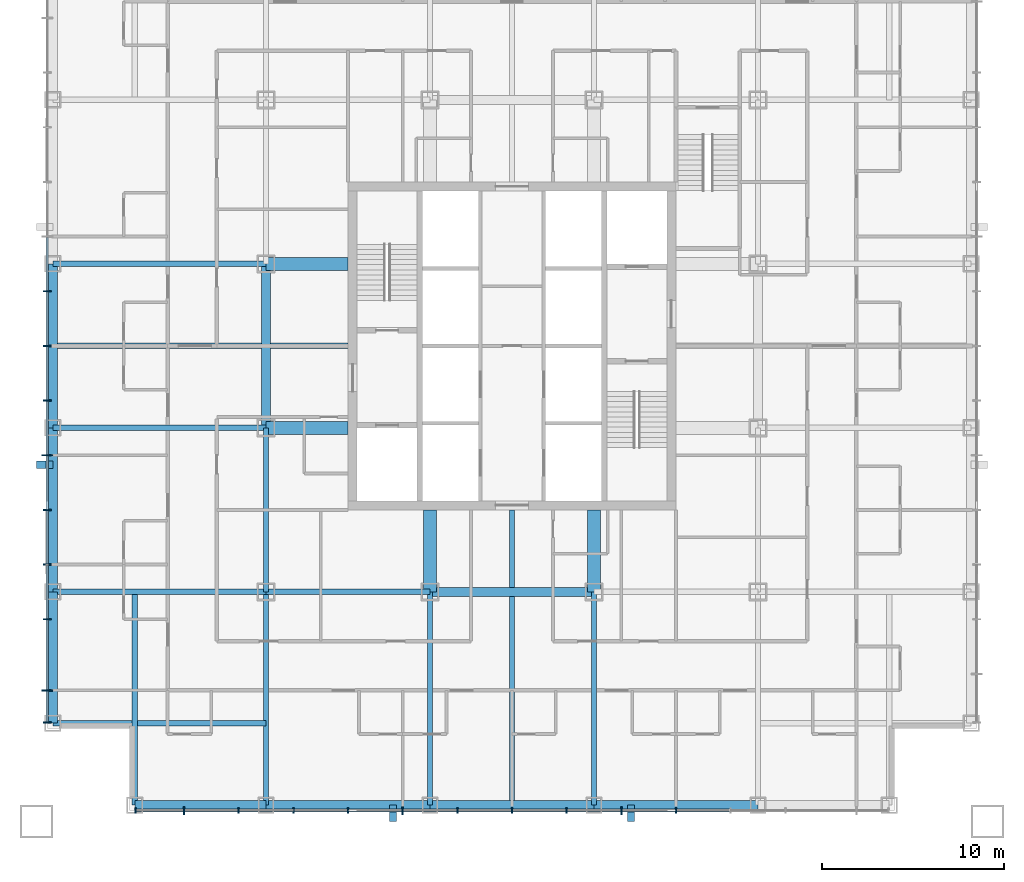
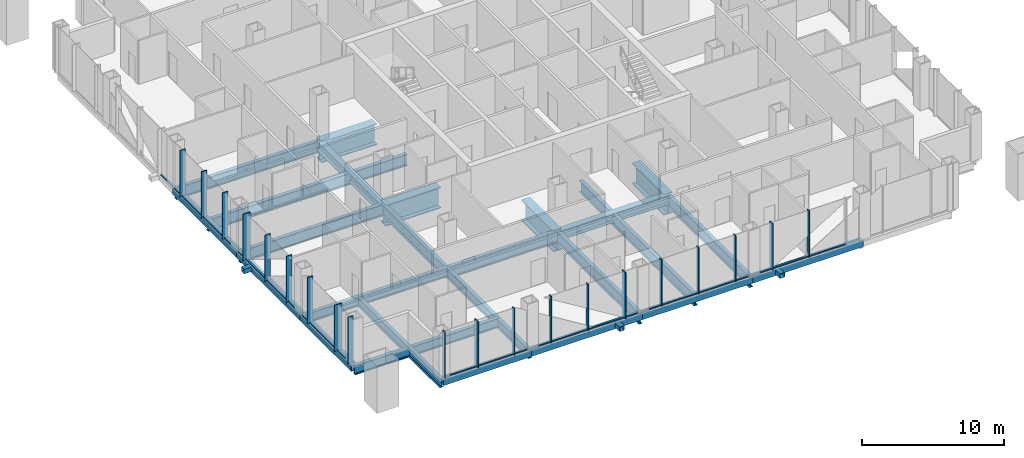
# One storey, part 2 of 17: 43 members, 25 beams, 2 elements without a shape of their own.
"""IFC4 building model written with IfcOpenShell, lengths in metres."""

from ifc_helpers import new_model, si_unit, direction, frame, origin, origin_2d, place, context, subcontext, project, spatial, rectangle, hollow_rectangle, i_section, extrude, material, layer, layer_set, material_profile, profile_set, type_object, element, aggregate, save


model = new_model("IFC4")

# Units and contexts
model_context = context("Model", 3, precision=1e-05, world=origin(), true_north=direction((0.0, 1.0)))
body_context = subcontext(model_context, "Body", "Model", "MODEL_VIEW")
ifc_project = project(units=[si_unit("LENGTHUNIT", "METRE"), si_unit("AREAUNIT", "SQUARE_METRE"), si_unit("VOLUMEUNIT", "CUBIC_METRE"), si_unit("PLANEANGLEUNIT", "RADIAN"), si_unit("MASSUNIT", "GRAM", prefix="KILO")], contexts=[model_context])

# Site, building, storey
site_placement = place(None, origin())
site = spatial("IfcSite", under=ifc_project, at=site_placement, CompositionType="ELEMENT")
building_placement = place(site_placement, origin())
building = spatial("IfcBuilding", under=site, at=building_placement, Name="Malebo Sky Hospital", CompositionType="ELEMENT")
storey_placement = place(building_placement, frame((0.0, 0.0, 83.0)))
storey = spatial("IfcBuildingStorey", under=building, at=storey_placement, Name="L19", CompositionType="ELEMENT", Elevation=83.0)

# Curtain wall, members
ifc_material_1 = material(Name="Anodised aluminium, natural silver", Category="aluminium")
ifc_layer_1 = layer(ifc_material_1, 0.25)
ifc_layer_set_1 = layer_set([ifc_layer_1], Name="WARD CURTAIN WALL EAST AND WEST")
curtain_wall_type_1 = type_object("IfcCurtainWallType", Name="WARD CURTAIN WALL EAST AND WEST", PredefinedType="NOTDEFINED", material=ifc_layer_set_1)
curtain_wall_1_placement = place(storey_placement, origin())
curtain_wall_1 = element("IfcCurtainWall", 1, at=curtain_wall_1_placement, inside=storey, type_object=curtain_wall_type_1, Name="EW curtain wall W", PredefinedType="NOTDEFINED")
ifc_material_profile_1 = material_profile(ifc_material_1, rectangle(XDim=0.14990234375, YDim=0.10009765625, at=origin_2d()), Name="ALUMINIUM TRANSOM 150x100")
ifc_profile_set_1 = profile_set([ifc_material_profile_1], Name="Anodised aluminium, natural silver")
member_type_1 = type_object("IfcMemberType", Name="ALUMINIUM TRANSOM 150x100", PredefinedType="USERDEFINED", material=ifc_profile_set_1)
member_1_placement = place(storey_placement, frame((34.5, 41.375, 0.050048828125), z_axis=(0.0, 1.0, 0.0), x_axis=(-1.0, 0.0, 0.0)))
member_1 = element("IfcMember", 2, at=member_1_placement, type_object=member_type_1, Name="Transom 1", ObjectType="TRANSOM", PredefinedType="USERDEFINED", context=body_context, shape_type="SweptSolid", body=[
    extrude(rectangle(XDim=0.14990234375, YDim=0.10009765625, at=origin_2d()), origin(), (0.0, 0.0, 1.0), 1.6875),
])
member_2_placement = place(storey_placement, frame((34.5, 43.137451171875, 0.050048828125), z_axis=(0.0, 1.0, 0.0), x_axis=(-1.0, 0.0, 0.0)))
member_2 = element("IfcMember", 3, at=member_2_placement, type_object=member_type_1, Name="Transom 2", ObjectType="TRANSOM", PredefinedType="USERDEFINED", context=body_context, shape_type="SweptSolid", body=[
    extrude(rectangle(XDim=0.14990234375, YDim=0.10009765625, at=origin_2d()), origin(), (0.0, 0.0, 1.0), 3.824951171875),
])
member_3_placement = place(storey_placement, frame((34.5, 47.03759765625, 0.050048828125), z_axis=(0.0, 1.0, 0.0), x_axis=(-1.0, 0.0, 0.0)))
member_3 = element("IfcMember", 4, at=member_3_placement, type_object=member_type_1, Name="Transom 3", ObjectType="TRANSOM", PredefinedType="USERDEFINED", context=body_context, shape_type="SweptSolid", body=[
    extrude(rectangle(XDim=0.14990234375, YDim=0.10009765625, at=origin_2d()), origin(), (0.0, 0.0, 1.0), 2.9248046875),
])
member_4_placement = place(storey_placement, frame((34.5, 50.03759765625, 0.050048828125), z_axis=(0.0, 1.0, 0.0), x_axis=(-1.0, 0.0, 0.0)))
member_4 = element("IfcMember", 5, at=member_4_placement, type_object=member_type_1, Name="Transom 4", ObjectType="TRANSOM", PredefinedType="USERDEFINED", context=body_context, shape_type="SweptSolid", body=[
    extrude(rectangle(XDim=0.14990234375, YDim=0.10009765625, at=origin_2d()), origin(), (0.0, 0.0, 1.0), 2.9248046875),
])
member_5_placement = place(storey_placement, frame((34.5, 53.03759765625, 0.050048828125), z_axis=(0.0, 1.0, 0.0), x_axis=(-1.0, 0.0, 0.0)))
member_5 = element("IfcMember", 6, at=member_5_placement, type_object=member_type_1, Name="Transom 5", ObjectType="TRANSOM", PredefinedType="USERDEFINED", context=body_context, shape_type="SweptSolid", body=[
    extrude(rectangle(XDim=0.14990234375, YDim=0.10009765625, at=origin_2d()), origin(), (0.0, 0.0, 1.0), 2.9248046875),
])
member_6_placement = place(storey_placement, frame((34.5, 56.03759765625, 0.050048828125), z_axis=(0.0, 1.0, 0.0), x_axis=(-1.0, 0.0, 0.0)))
member_6 = element("IfcMember", 7, at=member_6_placement, type_object=member_type_1, Name="Transom 6", ObjectType="TRANSOM", PredefinedType="USERDEFINED", context=body_context, shape_type="SweptSolid", body=[
    extrude(rectangle(XDim=0.14990234375, YDim=0.10009765625, at=origin_2d()), origin(), (0.0, 0.0, 1.0), 2.9248046875),
])
member_7_placement = place(storey_placement, frame((34.5, 59.03759765625, 0.050048828125), z_axis=(0.0, 1.0, 0.0), x_axis=(-1.0, 0.0, 0.0)))
member_7 = element("IfcMember", 8, at=member_7_placement, type_object=member_type_1, Name="Transom 7", ObjectType="TRANSOM", PredefinedType="USERDEFINED", context=body_context, shape_type="SweptSolid", body=[
    extrude(rectangle(XDim=0.14990234375, YDim=0.10009765625, at=origin_2d()), origin(), (0.0, 0.0, 1.0), 2.9248046875),
])
member_8_placement = place(storey_placement, frame((34.5, 62.03759765625, 0.050048828125), z_axis=(0.0, 1.0, 0.0), x_axis=(-1.0, 0.0, 0.0)))
member_8 = element("IfcMember", 9, at=member_8_placement, type_object=member_type_1, Name="Transom 8", ObjectType="TRANSOM", PredefinedType="USERDEFINED", context=body_context, shape_type="SweptSolid", body=[
    extrude(rectangle(XDim=0.14990234375, YDim=0.10009765625, at=origin_2d()), origin(), (0.0, 0.0, 1.0), 2.9248046875),
])
member_9_placement = place(storey_placement, frame((34.5, 65.03759765625, 0.050048828125), z_axis=(0.0, 1.0, 0.0), x_axis=(-1.0, 0.0, 0.0)))
member_9 = element("IfcMember", 10, at=member_9_placement, type_object=member_type_1, Name="Transom 9", ObjectType="TRANSOM", PredefinedType="USERDEFINED", context=body_context, shape_type="SweptSolid", body=[
    extrude(rectangle(XDim=0.14990234375, YDim=0.10009765625, at=origin_2d()), origin(), (0.0, 0.0, 1.0), 2.9248046875),
])

ifc_layer_2 = layer(ifc_material_1, 0.25)
ifc_layer_set_2 = layer_set([ifc_layer_2], Name="WARD CURTAIN WALL NORTH AND SOUTH")
curtain_wall_type_2 = type_object("IfcCurtainWallType", Name="WARD CURTAIN WALL NORTH AND SOUTH", PredefinedType="NOTDEFINED", material=ifc_layer_set_2)
curtain_wall_2_placement = place(storey_placement, origin())
curtain_wall_2 = element("IfcCurtainWall", 11, at=curtain_wall_2_placement, inside=storey, type_object=curtain_wall_type_2, Name="NS curtain wall S", PredefinedType="NOTDEFINED")
member_10_placement = place(storey_placement, frame((71.96240234375, 36.5, 0.050048828125), z_axis=(-1.0, 0.0, 0.0), x_axis=(0.0, -1.0, 0.0)))
member_10 = element("IfcMember", 12, at=member_10_placement, type_object=member_type_1, Name="Transom 4", ObjectType="TRANSOM", PredefinedType="USERDEFINED", context=body_context, shape_type="SweptSolid", body=[
    extrude(rectangle(XDim=0.14990234375, YDim=0.10009765625, at=origin_2d()), origin(), (0.0, 0.0, 1.0), 2.9248046875),
])
member_11_placement = place(storey_placement, frame((68.96240234375, 36.5, 0.050048828125), z_axis=(-1.0, 0.0, 0.0), x_axis=(0.0, -1.0, 0.0)))
member_11 = element("IfcMember", 13, at=member_11_placement, type_object=member_type_1, Name="Transom 5", ObjectType="TRANSOM", PredefinedType="USERDEFINED", context=body_context, shape_type="SweptSolid", body=[
    extrude(rectangle(XDim=0.14990234375, YDim=0.10009765625, at=origin_2d()), origin(), (0.0, 0.0, 1.0), 2.9248046875),
])
member_12_placement = place(storey_placement, frame((65.96240234375, 36.5, 0.050048828125), z_axis=(-1.0, 0.0, 0.0), x_axis=(0.0, -1.0, 0.0)))
member_12 = element("IfcMember", 14, at=member_12_placement, type_object=member_type_1, Name="Transom 6", ObjectType="TRANSOM", PredefinedType="USERDEFINED", context=body_context, shape_type="SweptSolid", body=[
    extrude(rectangle(XDim=0.14990234375, YDim=0.10009765625, at=origin_2d()), origin(), (0.0, 0.0, 1.0), 2.9248046875),
])
member_13_placement = place(storey_placement, frame((62.96240234375, 36.5, 0.050048828125), z_axis=(-1.0, 0.0, 0.0), x_axis=(0.0, -1.0, 0.0)))
member_13 = element("IfcMember", 15, at=member_13_placement, type_object=member_type_1, Name="Transom 7", ObjectType="TRANSOM", PredefinedType="USERDEFINED", context=body_context, shape_type="SweptSolid", body=[
    extrude(rectangle(XDim=0.14990234375, YDim=0.10009765625, at=origin_2d()), origin(), (0.0, 0.0, 1.0), 2.9248046875),
])
member_14_placement = place(storey_placement, frame((59.96240234375, 36.5, 0.050048828125), z_axis=(-1.0, 0.0, 0.0), x_axis=(0.0, -1.0, 0.0)))
member_14 = element("IfcMember", 16, at=member_14_placement, type_object=member_type_1, Name="Transom 8", ObjectType="TRANSOM", PredefinedType="USERDEFINED", context=body_context, shape_type="SweptSolid", body=[
    extrude(rectangle(XDim=0.14990234375, YDim=0.10009765625, at=origin_2d()), origin(), (0.0, 0.0, 1.0), 2.9248046875),
])
member_15_placement = place(storey_placement, frame((56.96240234375, 36.5, 0.050048828125), z_axis=(-1.0, 0.0, 0.0), x_axis=(0.0, -1.0, 0.0)))
member_15 = element("IfcMember", 17, at=member_15_placement, type_object=member_type_1, Name="Transom 9", ObjectType="TRANSOM", PredefinedType="USERDEFINED", context=body_context, shape_type="SweptSolid", body=[
    extrude(rectangle(XDim=0.14990234375, YDim=0.10009765625, at=origin_2d()), origin(), (0.0, 0.0, 1.0), 2.9248046875),
])
member_16_placement = place(storey_placement, frame((53.96240234375, 36.5, 0.050048828125), z_axis=(-1.0, 0.0, 0.0), x_axis=(0.0, -1.0, 0.0)))
member_16 = element("IfcMember", 18, at=member_16_placement, type_object=member_type_1, Name="Transom 10", ObjectType="TRANSOM", PredefinedType="USERDEFINED", context=body_context, shape_type="SweptSolid", body=[
    extrude(rectangle(XDim=0.14990234375, YDim=0.10009765625, at=origin_2d()), origin(), (0.0, 0.0, 1.0), 2.9248046875),
])
member_17_placement = place(storey_placement, frame((50.96240234375, 36.5, 0.050048828125), z_axis=(-1.0, 0.0, 0.0), x_axis=(0.0, -1.0, 0.0)))
member_17 = element("IfcMember", 19, at=member_17_placement, type_object=member_type_1, Name="Transom 11", ObjectType="TRANSOM", PredefinedType="USERDEFINED", context=body_context, shape_type="SweptSolid", body=[
    extrude(rectangle(XDim=0.14990234375, YDim=0.10009765625, at=origin_2d()), origin(), (0.0, 0.0, 1.0), 2.9248046875),
])
member_18_placement = place(storey_placement, frame((47.96240234375, 36.5, 0.050048828125), z_axis=(-1.0, 0.0, 0.0), x_axis=(0.0, -1.0, 0.0)))
member_18 = element("IfcMember", 20, at=member_18_placement, type_object=member_type_1, Name="Transom 12", ObjectType="TRANSOM", PredefinedType="USERDEFINED", context=body_context, shape_type="SweptSolid", body=[
    extrude(rectangle(XDim=0.14990234375, YDim=0.10009765625, at=origin_2d()), origin(), (0.0, 0.0, 1.0), 2.9248046875),
])
member_19_placement = place(storey_placement, frame((44.96240234375, 36.5, 0.050048828125), z_axis=(-1.0, 0.0, 0.0), x_axis=(0.0, -1.0, 0.0)))
member_19 = element("IfcMember", 21, at=member_19_placement, type_object=member_type_1, Name="Transom 13", ObjectType="TRANSOM", PredefinedType="USERDEFINED", context=body_context, shape_type="SweptSolid", body=[
    extrude(rectangle(XDim=0.14990234375, YDim=0.10009765625, at=origin_2d()), origin(), (0.0, 0.0, 1.0), 2.9248046875),
])
member_20_placement = place(storey_placement, frame((41.96240234375, 36.5, 0.050048828125), z_axis=(-1.0, 0.0, 0.0), x_axis=(0.0, -1.0, 0.0)))
member_20 = element("IfcMember", 22, at=member_20_placement, type_object=member_type_1, Name="Transom 14", ObjectType="TRANSOM", PredefinedType="USERDEFINED", context=body_context, shape_type="SweptSolid", body=[
    extrude(rectangle(XDim=0.14990234375, YDim=0.10009765625, at=origin_2d()), origin(), (0.0, 0.0, 1.0), 2.58740234375),
])

# Members
ifc_material_2 = material(Name="Steel S355", Category="steel")
ifc_material_profile_2 = material_profile(ifc_material_2, hollow_rectangle(XDim=0.39990234375, YDim=0.39990234375, WallThickness=0.02001953125, at=origin_2d()), Name="SHS 400x20")
ifc_profile_set_2 = profile_set([ifc_material_profile_2], Name="Steel S355")
member_type_2 = type_object("IfcMemberType", Name="BRACE STRUT SHS 400x20", PredefinedType="STRUT", material=ifc_profile_set_2)
for number, where, z_axis, x_axis, name in (
    (23, (66.52490234375, 35.89990234375, -0.39990234375), (0.0, 1.0, 0.0), (-1.0, 0.0, 0.0), "Brace strut AS1 L19"),
    (24, (53.47509765625, 35.89990234375, -0.39990234375), (0.0, 1.0, 0.0), (-1.0, 0.0, 0.0), "Brace strut AS2 L19"),
    (25, (33.89990234375, 55.47509765625, -0.39990234375), (1.0, 0.0, 0.0), (0.0, 1.0, 0.0), "Brace strut AW1 L19"),
):
    element("IfcMember", number, at=place(storey_placement, frame(where, z_axis=z_axis, x_axis=x_axis)), inside=storey, type_object=member_type_2, Name=name, PredefinedType="STRUT", context=body_context, shape_type="SweptSolid", body=[
        extrude(hollow_rectangle(XDim=0.39990234375, YDim=0.39990234375, WallThickness=0.02001953125, at=origin_2d()), origin(), (0.0, 0.0, 1.0), 0.900146484375),
    ])

# Member
ifc_material_profile_3 = material_profile(ifc_material_1, rectangle(XDim=0.074951171875, YDim=0.300048828125, at=origin_2d()), Name="CW1 ALUMINIUM FIN MULLION 75x300")
ifc_profile_set_3 = profile_set([ifc_material_profile_3], Name="Anodised aluminium, natural silver")
member_type_3 = type_object("IfcMemberType", Name="CW1 ALUMINIUM FIN MULLION 75x300", PredefinedType="MULLION", material=ifc_profile_set_3)
member_21_placement = place(storey_placement, frame((69.0, 36.5, 0.0), z_axis=(0.0, 0.0, 1.0), x_axis=(-1.0, 0.0, 0.0)))
member_21 = element("IfcMember", 26, at=member_21_placement, type_object=member_type_3, Name="Fin mullion 5", PredefinedType="MULLION", context=body_context, shape_type="SweptSolid", body=[
    extrude(rectangle(XDim=0.074951171875, YDim=0.300048828125, at=origin_2d()), origin(), (0.0, 0.0, 1.0), 4.0),
])

member_22_placement = place(storey_placement, frame((63.0, 36.5, 0.0), z_axis=(0.0, 0.0, 1.0), x_axis=(-1.0, 0.0, 0.0)))
member_22 = element("IfcMember", 27, at=member_22_placement, type_object=member_type_3, Name="Fin mullion 7", PredefinedType="MULLION", context=body_context, shape_type="SweptSolid", body=[
    extrude(rectangle(XDim=0.074951171875, YDim=0.300048828125, at=origin_2d()), origin(), (0.0, 0.0, 1.0), 4.0),
])

member_23_placement = place(storey_placement, frame((60.0, 36.5, 0.0), z_axis=(0.0, 0.0, 1.0), x_axis=(-1.0, 0.0, 0.0)))
member_23 = element("IfcMember", 28, at=member_23_placement, type_object=member_type_3, Name="Fin mullion 8", PredefinedType="MULLION", context=body_context, shape_type="SweptSolid", body=[
    extrude(rectangle(XDim=0.074951171875, YDim=0.300048828125, at=origin_2d()), origin(), (0.0, 0.0, 1.0), 4.0),
])

member_24_placement = place(storey_placement, frame((57.0, 36.5, 0.0), z_axis=(0.0, 0.0, 1.0), x_axis=(-1.0, 0.0, 0.0)))
member_24 = element("IfcMember", 29, at=member_24_placement, type_object=member_type_3, Name="Fin mullion 9", PredefinedType="MULLION", context=body_context, shape_type="SweptSolid", body=[
    extrude(rectangle(XDim=0.074951171875, YDim=0.300048828125, at=origin_2d()), origin(), (0.0, 0.0, 1.0), 4.0),
])

member_25_placement = place(storey_placement, frame((51.0, 36.5, 0.0), z_axis=(0.0, 0.0, 1.0), x_axis=(-1.0, 0.0, 0.0)))
member_25 = element("IfcMember", 30, at=member_25_placement, type_object=member_type_3, Name="Fin mullion 11", PredefinedType="MULLION", context=body_context, shape_type="SweptSolid", body=[
    extrude(rectangle(XDim=0.074951171875, YDim=0.300048828125, at=origin_2d()), origin(), (0.0, 0.0, 1.0), 4.0),
])

member_26_placement = place(storey_placement, frame((48.0, 36.5, 0.0), z_axis=(0.0, 0.0, 1.0), x_axis=(-1.0, 0.0, 0.0)))
member_26 = element("IfcMember", 31, at=member_26_placement, type_object=member_type_3, Name="Fin mullion 12", PredefinedType="MULLION", context=body_context, shape_type="SweptSolid", body=[
    extrude(rectangle(XDim=0.074951171875, YDim=0.300048828125, at=origin_2d()), origin(), (0.0, 0.0, 1.0), 4.0),
])

member_27_placement = place(storey_placement, frame((45.0, 36.5, 0.0), z_axis=(0.0, 0.0, 1.0), x_axis=(-1.0, 0.0, 0.0)))
member_27 = element("IfcMember", 32, at=member_27_placement, type_object=member_type_3, Name="Fin mullion 13", PredefinedType="MULLION", context=body_context, shape_type="SweptSolid", body=[
    extrude(rectangle(XDim=0.074951171875, YDim=0.300048828125, at=origin_2d()), origin(), (0.0, 0.0, 1.0), 4.0),
])

member_28_placement = place(storey_placement, frame((39.33740234375, 36.5, 0.0), z_axis=(0.0, 0.0, 1.0), x_axis=(-1.0, 0.0, 0.0)))
member_28 = element("IfcMember", 33, at=member_28_placement, type_object=member_type_3, Name="Fin mullion 15", PredefinedType="MULLION", context=body_context, shape_type="SweptSolid", body=[
    extrude(rectangle(XDim=0.074951171875, YDim=0.300048828125, at=origin_2d()), origin(), (0.0, 0.0, 1.0), 4.0),
])

ifc_material_profile_4 = material_profile(ifc_material_1, rectangle(XDim=0.074951171875, YDim=0.449951171875, at=origin_2d()), Name="CW1 ALUMINIUM FIN MULLION 75x450")
ifc_profile_set_4 = profile_set([ifc_material_profile_4], Name="Anodised aluminium, natural silver")
member_type_4 = type_object("IfcMemberType", Name="CW1 ALUMINIUM FIN MULLION 75x450", PredefinedType="MULLION", material=ifc_profile_set_4)
member_29_placement = place(storey_placement, frame((66.0, 36.5, 0.0), z_axis=(0.0, 0.0, 1.0), x_axis=(-1.0, 0.0, 0.0)))
member_29 = element("IfcMember", 34, at=member_29_placement, type_object=member_type_4, Name="Fin mullion 6", PredefinedType="MULLION", context=body_context, shape_type="SweptSolid", body=[
    extrude(rectangle(XDim=0.074951171875, YDim=0.449951171875, at=origin_2d()), origin(), (0.0, 0.0, 1.0), 4.0),
])

member_30_placement = place(storey_placement, frame((54.0, 36.5, 0.0), z_axis=(0.0, 0.0, 1.0), x_axis=(-1.0, 0.0, 0.0)))
member_30 = element("IfcMember", 35, at=member_30_placement, type_object=member_type_4, Name="Fin mullion 10", PredefinedType="MULLION", context=body_context, shape_type="SweptSolid", body=[
    extrude(rectangle(XDim=0.074951171875, YDim=0.449951171875, at=origin_2d()), origin(), (0.0, 0.0, 1.0), 4.0),
])

member_31_placement = place(storey_placement, frame((42.0, 36.5, 0.0), z_axis=(0.0, 0.0, 1.0), x_axis=(-1.0, 0.0, 0.0)))
member_31 = element("IfcMember", 36, at=member_31_placement, type_object=member_type_4, Name="Fin mullion 14", PredefinedType="MULLION", context=body_context, shape_type="SweptSolid", body=[
    extrude(rectangle(XDim=0.074951171875, YDim=0.449951171875, at=origin_2d()), origin(), (0.0, 0.0, 1.0), 4.0),
])

aggregate(curtain_wall_2, [member_21, member_29, member_22, member_23, member_24, member_30, member_25, member_26, member_27, member_31, member_28, member_10, member_11, member_12, member_13, member_14, member_15, member_16, member_17, member_18, member_19, member_20])

ifc_material_profile_5 = material_profile(ifc_material_1, rectangle(XDim=0.074951171875, YDim=0.449951171875, at=origin_2d()), Name="CW2 ALUMINIUM FIN MULLION 75x450")
ifc_profile_set_5 = profile_set([ifc_material_profile_5], Name="Anodised aluminium, natural silver")
member_type_5 = type_object("IfcMemberType", Name="CW2 ALUMINIUM FIN MULLION 75x450", PredefinedType="MULLION", material=ifc_profile_set_5)
member_32_placement = place(storey_placement, frame((34.5, 41.33740234375, 0.0), z_axis=(0.0, 0.0, 1.0), x_axis=(0.0, 1.0, 0.0)))
member_32 = element("IfcMember", 37, at=member_32_placement, type_object=member_type_5, Name="Fin mullion 1", PredefinedType="MULLION", context=body_context, shape_type="SweptSolid", body=[
    extrude(rectangle(XDim=0.074951171875, YDim=0.449951171875, at=origin_2d()), origin(), (0.0, 0.0, 1.0), 4.0),
])

member_33_placement = place(storey_placement, frame((34.5, 47.0, 0.0), z_axis=(0.0, 0.0, 1.0), x_axis=(0.0, 1.0, 0.0)))
member_33 = element("IfcMember", 38, at=member_33_placement, type_object=member_type_5, Name="Fin mullion 3", PredefinedType="MULLION", context=body_context, shape_type="SweptSolid", body=[
    extrude(rectangle(XDim=0.074951171875, YDim=0.449951171875, at=origin_2d()), origin(), (0.0, 0.0, 1.0), 4.0),
])

member_34_placement = place(storey_placement, frame((34.5, 50.0, 0.0), z_axis=(0.0, 0.0, 1.0), x_axis=(0.0, 1.0, 0.0)))
member_34 = element("IfcMember", 39, at=member_34_placement, type_object=member_type_5, Name="Fin mullion 4", PredefinedType="MULLION", context=body_context, shape_type="SweptSolid", body=[
    extrude(rectangle(XDim=0.074951171875, YDim=0.449951171875, at=origin_2d()), origin(), (0.0, 0.0, 1.0), 4.0),
])

member_35_placement = place(storey_placement, frame((34.5, 53.0, 0.0), z_axis=(0.0, 0.0, 1.0), x_axis=(0.0, 1.0, 0.0)))
member_35 = element("IfcMember", 40, at=member_35_placement, type_object=member_type_5, Name="Fin mullion 5", PredefinedType="MULLION", context=body_context, shape_type="SweptSolid", body=[
    extrude(rectangle(XDim=0.074951171875, YDim=0.449951171875, at=origin_2d()), origin(), (0.0, 0.0, 1.0), 4.0),
])

member_36_placement = place(storey_placement, frame((34.5, 59.0, 0.0), z_axis=(0.0, 0.0, 1.0), x_axis=(0.0, 1.0, 0.0)))
member_36 = element("IfcMember", 41, at=member_36_placement, type_object=member_type_5, Name="Fin mullion 7", PredefinedType="MULLION", context=body_context, shape_type="SweptSolid", body=[
    extrude(rectangle(XDim=0.074951171875, YDim=0.449951171875, at=origin_2d()), origin(), (0.0, 0.0, 1.0), 4.0),
])

member_37_placement = place(storey_placement, frame((34.5, 62.0, 0.0), z_axis=(0.0, 0.0, 1.0), x_axis=(0.0, 1.0, 0.0)))
member_37 = element("IfcMember", 42, at=member_37_placement, type_object=member_type_5, Name="Fin mullion 8", PredefinedType="MULLION", context=body_context, shape_type="SweptSolid", body=[
    extrude(rectangle(XDim=0.074951171875, YDim=0.449951171875, at=origin_2d()), origin(), (0.0, 0.0, 1.0), 4.0),
])

member_38_placement = place(storey_placement, frame((34.5, 65.0, 0.0), z_axis=(0.0, 0.0, 1.0), x_axis=(0.0, 1.0, 0.0)))
member_38 = element("IfcMember", 43, at=member_38_placement, type_object=member_type_5, Name="Fin mullion 9", PredefinedType="MULLION", context=body_context, shape_type="SweptSolid", body=[
    extrude(rectangle(XDim=0.074951171875, YDim=0.449951171875, at=origin_2d()), origin(), (0.0, 0.0, 1.0), 4.0),
])

ifc_material_profile_6 = material_profile(ifc_material_1, rectangle(XDim=0.074951171875, YDim=0.60009765625, at=origin_2d()), Name="CW2 ALUMINIUM FIN MULLION 75x600")
ifc_profile_set_6 = profile_set([ifc_material_profile_6], Name="Anodised aluminium, natural silver")
member_type_6 = type_object("IfcMemberType", Name="CW2 ALUMINIUM FIN MULLION 75x600", PredefinedType="MULLION", material=ifc_profile_set_6)
member_39_placement = place(storey_placement, frame((34.5, 43.10009765625, 0.0), z_axis=(0.0, 0.0, 1.0), x_axis=(0.0, 1.0, 0.0)))
member_39 = element("IfcMember", 44, at=member_39_placement, type_object=member_type_6, Name="Fin mullion 2", PredefinedType="MULLION", context=body_context, shape_type="SweptSolid", body=[
    extrude(rectangle(XDim=0.074951171875, YDim=0.60009765625, at=origin_2d()), origin(), (0.0, 0.0, 1.0), 4.0),
])

member_40_placement = place(storey_placement, frame((34.5, 56.0, 0.0), z_axis=(0.0, 0.0, 1.0), x_axis=(0.0, 1.0, 0.0)))
member_40 = element("IfcMember", 45, at=member_40_placement, type_object=member_type_6, Name="Fin mullion 6", PredefinedType="MULLION", context=body_context, shape_type="SweptSolid", body=[
    extrude(rectangle(XDim=0.074951171875, YDim=0.60009765625, at=origin_2d()), origin(), (0.0, 0.0, 1.0), 4.0),
])

aggregate(curtain_wall_1, [member_32, member_39, member_33, member_34, member_35, member_40, member_36, member_37, member_38, member_1, member_2, member_3, member_4, member_5, member_6, member_7, member_8, member_9])

# Beams
ifc_material_3 = material(Name="Steel S460", Category="steel")
ifc_material_profile_7 = material_profile(ifc_material_3, hollow_rectangle(XDim=0.5, YDim=0.5, WallThickness=0.030029296875, at=origin_2d()), Name="BOX 500x500x30")
ifc_profile_set_7 = profile_set([ifc_material_profile_7], Name="Steel S460")
beam_type_1 = type_object("IfcBeamType", Name="EDGE BEAM BOX 500x500x30", PredefinedType="BEAM", material=ifc_profile_set_7)
beam_1_placement = place(storey_placement, frame((34.800048828125, 41.300048828125, -0.5), z_axis=(0.0, 1.0, 0.0), x_axis=(-1.0, 0.0, 0.0)))
element("IfcBeam", 46, at=beam_1_placement, inside=storey, type_object=beam_type_1, Name="Beam 000 L19", PredefinedType="BEAM", context=body_context, shape_type="SweptSolid", body=[
    extrude(hollow_rectangle(XDim=0.5, YDim=0.5, WallThickness=0.030029296875, at=origin_2d()), origin(), (0.0, 0.0, 1.0), 7.199951171875),
])
for number, where, z_axis, x_axis, name in (
    (47, (34.800048828125, 48.5, -0.5), (0.0, 1.0, 0.0), (-1.0, 0.0, 0.0), "Beam 001 L19"),
    (48, (34.800048828125, 57.5, -0.5), (0.0, 1.0, 0.0), (-1.0, 0.0, 0.0), "Beam 002 L19"),
):
    element("IfcBeam", number, at=place(storey_placement, frame(where, z_axis=z_axis, x_axis=x_axis)), inside=storey, type_object=beam_type_1, Name=name, PredefinedType="BEAM", context=body_context, shape_type="SweptSolid", body=[
        extrude(hollow_rectangle(XDim=0.5, YDim=0.5, WallThickness=0.030029296875, at=origin_2d()), origin(), (0.0, 0.0, 1.0), 9.0),
    ])
beam_2_placement = place(storey_placement, frame((39.300048828125, 36.800048828125, -0.5), z_axis=(1.0, 0.0, 0.0), x_axis=(0.0, 1.0, 0.0)))
element("IfcBeam", 49, at=beam_2_placement, inside=storey, type_object=beam_type_1, Name="Beam 034 L19", PredefinedType="BEAM", context=body_context, shape_type="SweptSolid", body=[
    extrude(hollow_rectangle(XDim=0.5, YDim=0.5, WallThickness=0.030029296875, at=origin_2d()), origin(), (0.0, 0.0, 1.0), 7.199951171875),
])
for number, where, z_axis, x_axis, name in (
    (50, (46.5, 36.800048828125, -0.5), (1.0, 0.0, 0.0), (0.0, 1.0, 0.0), "Beam 035 L19"),
    (51, (55.5, 36.800048828125, -0.5), (1.0, 0.0, 0.0), (0.0, 1.0, 0.0), "Beam 036 L19"),
    (52, (64.5, 36.800048828125, -0.5), (1.0, 0.0, 0.0), (0.0, 1.0, 0.0), "Beam 037 L19"),
):
    element("IfcBeam", number, at=place(storey_placement, frame(where, z_axis=z_axis, x_axis=x_axis)), inside=storey, type_object=beam_type_1, Name=name, PredefinedType="BEAM", context=body_context, shape_type="SweptSolid", body=[
        extrude(hollow_rectangle(XDim=0.5, YDim=0.5, WallThickness=0.030029296875, at=origin_2d()), origin(), (0.0, 0.0, 1.0), 9.0),
    ])
ifc_material_profile_8 = material_profile(ifc_material_2, i_section(OverallWidth=0.300048828125, OverallDepth=1.0, WebThickness=0.01904296875, FlangeThickness=0.035888671875, FilletRadius=0.030029296875, at=origin_2d()), Name="HEB 1000")
ifc_profile_set_8 = profile_set([ifc_material_profile_8], Name="Steel S355")
beam_type_2 = type_object("IfcBeamType", Name="FLOOR BEAM HEB 1000", PredefinedType="BEAM", material=ifc_profile_set_8)
beam_3_placement = place(storey_placement, frame((46.5, 48.5, -0.75), z_axis=(0.0, 1.0, 0.0), x_axis=(-1.0, 0.0, 0.0)))
element("IfcBeam", 53, at=beam_3_placement, inside=storey, type_object=beam_type_2, Name="Beam 008 L19", PredefinedType="BEAM", context=body_context, shape_type="SweptSolid", body=[
    extrude(i_section(OverallWidth=0.300048828125, OverallDepth=1.0, WebThickness=0.01904296875, FlangeThickness=0.035888671875, FilletRadius=0.030029296875, at=origin_2d()), origin(), (0.0, 0.0, 1.0), 9.0),
])
beam_4_placement = place(storey_placement, frame((55.5, 36.800048828125, -0.75), z_axis=(0.0, 1.0, 0.0), x_axis=(-1.0, 0.0, 0.0)))
element("IfcBeam", 54, at=beam_4_placement, inside=storey, type_object=beam_type_2, Name="Beam 012 L19", PredefinedType="BEAM", context=body_context, shape_type="SweptSolid", body=[
    extrude(i_section(OverallWidth=0.300048828125, OverallDepth=1.0, WebThickness=0.01904296875, FlangeThickness=0.035888671875, FilletRadius=0.030029296875, at=origin_2d()), origin(), (0.0, 0.0, 1.0), 11.699951171875),
])
beam_5_placement = place(storey_placement, frame((60.0, 36.800048828125, -0.75), z_axis=(0.0, 1.0, 0.0), x_axis=(-1.0, 0.0, 0.0)))
element("IfcBeam", 55, at=beam_5_placement, inside=storey, type_object=beam_type_2, Name="Beam 016 L19", PredefinedType="BEAM", context=body_context, shape_type="SweptSolid", body=[
    extrude(i_section(OverallWidth=0.300048828125, OverallDepth=1.0, WebThickness=0.01904296875, FlangeThickness=0.035888671875, FilletRadius=0.030029296875, at=origin_2d()), origin(), (0.0, 0.0, 1.0), 16.199951171875),
])
beam_6_placement = place(storey_placement, frame((64.5, 36.800048828125, -0.75), z_axis=(0.0, 1.0, 0.0), x_axis=(-1.0, 0.0, 0.0)))
element("IfcBeam", 56, at=beam_6_placement, inside=storey, type_object=beam_type_2, Name="Beam 018 L19", PredefinedType="BEAM", context=body_context, shape_type="SweptSolid", body=[
    extrude(i_section(OverallWidth=0.300048828125, OverallDepth=1.0, WebThickness=0.01904296875, FlangeThickness=0.035888671875, FilletRadius=0.030029296875, at=origin_2d()), origin(), (0.0, 0.0, 1.0), 11.699951171875),
])
beam_7_placement = place(storey_placement, frame((46.5, 48.5, -0.75), z_axis=(1.0, 0.0, 0.0), x_axis=(0.0, 1.0, 0.0)))
element("IfcBeam", 57, at=beam_7_placement, inside=storey, type_object=beam_type_2, Name="Beam 042 L19", PredefinedType="BEAM", context=body_context, shape_type="SweptSolid", body=[
    extrude(i_section(OverallWidth=0.300048828125, OverallDepth=1.0, WebThickness=0.01904296875, FlangeThickness=0.035888671875, FilletRadius=0.030029296875, at=origin_2d()), origin(), (0.0, 0.0, 1.0), 9.0),
])
beam_8_placement = place(storey_placement, frame((34.800048828125, 57.5, -0.75), z_axis=(1.0, 0.0, 0.0), x_axis=(0.0, 1.0, 0.0)))
element("IfcBeam", 58, at=beam_8_placement, inside=storey, type_object=beam_type_2, Name="Beam 046 L19", PredefinedType="BEAM", context=body_context, shape_type="SweptSolid", body=[
    extrude(i_section(OverallWidth=0.300048828125, OverallDepth=1.0, WebThickness=0.01904296875, FlangeThickness=0.035888671875, FilletRadius=0.030029296875, at=origin_2d()), origin(), (0.0, 0.0, 1.0), 11.699951171875),
])
beam_9_placement = place(storey_placement, frame((34.800048828125, 62.0, -0.75), z_axis=(1.0, 0.0, 0.0), x_axis=(0.0, 1.0, 0.0)))
element("IfcBeam", 59, at=beam_9_placement, inside=storey, type_object=beam_type_2, Name="Beam 050 L19", PredefinedType="BEAM", context=body_context, shape_type="SweptSolid", body=[
    extrude(i_section(OverallWidth=0.300048828125, OverallDepth=1.0, WebThickness=0.01904296875, FlangeThickness=0.035888671875, FilletRadius=0.030029296875, at=origin_2d()), origin(), (0.0, 0.0, 1.0), 16.199951171875),
])
beam_10_placement = place(storey_placement, frame((34.800048828125, 66.5, -0.75), z_axis=(1.0, 0.0, 0.0), x_axis=(0.0, 1.0, 0.0)))
element("IfcBeam", 60, at=beam_10_placement, inside=storey, type_object=beam_type_2, Name="Beam 052 L19", PredefinedType="BEAM", context=body_context, shape_type="SweptSolid", body=[
    extrude(i_section(OverallWidth=0.300048828125, OverallDepth=1.0, WebThickness=0.01904296875, FlangeThickness=0.035888671875, FilletRadius=0.030029296875, at=origin_2d()), origin(), (0.0, 0.0, 1.0), 11.699951171875),
])
ifc_material_profile_9 = material_profile(ifc_material_2, i_section(OverallWidth=0.300048828125, OverallDepth=0.800048828125, WebThickness=0.017578125, FlangeThickness=0.032958984375, FilletRadius=0.030029296875, at=origin_2d()), Name="HEB 800")
ifc_profile_set_9 = profile_set([ifc_material_profile_9], Name="Steel S355")
beam_type_3 = type_object("IfcBeamType", Name="FLOOR BEAM HEB 800", PredefinedType="BEAM", material=ifc_profile_set_9)
for number, where, z_axis, x_axis, name in (
    (61, (39.300048828125, 36.800048828125, -0.64990234375), (0.0, 1.0, 0.0), (-1.0, 0.0, 0.0), "Beam 005 L19"),
    (62, (34.800048828125, 41.300048828125, -0.64990234375), (1.0, 0.0, 0.0), (0.0, 1.0, 0.0), "Beam 039 L19"),
):
    element("IfcBeam", number, at=place(storey_placement, frame(where, z_axis=z_axis, x_axis=x_axis)), inside=storey, type_object=beam_type_3, Name=name, PredefinedType="BEAM", context=body_context, shape_type="SweptSolid", body=[
        extrude(i_section(OverallWidth=0.300048828125, OverallDepth=0.800048828125, WebThickness=0.017578125, FlangeThickness=0.032958984375, FilletRadius=0.030029296875, at=origin_2d()), origin(), (0.0, 0.0, 1.0), 11.699951171875),
    ])
ifc_material_profile_10 = material_profile(ifc_material_2, i_section(OverallWidth=0.699951171875, OverallDepth=1.800048828125, WebThickness=0.034912109375, FlangeThickness=0.070068359375, at=origin_2d()), Name="PG 1800x700x35x70")
ifc_profile_set_10 = profile_set([ifc_material_profile_10], Name="Steel S355")
beam_type_4 = type_object("IfcBeamType", Name="FLOOR BEAM PG 1800x700x35x70", PredefinedType="BEAM", material=ifc_profile_set_10)
for number, where, z_axis, x_axis, name in (
    (63, (55.5, 48.5, -1.14990234375), (0.0, 1.0, 0.0), (-1.0, 0.0, 0.0), "Beam 013 L19"),
    (64, (64.5, 48.5, -1.14990234375), (0.0, 1.0, 0.0), (-1.0, 0.0, 0.0), "Beam 019 L19"),
    (65, (46.5, 57.5, -1.14990234375), (1.0, 0.0, 0.0), (0.0, 1.0, 0.0), "Beam 047 L19"),
    (66, (46.5, 66.5, -1.14990234375), (1.0, 0.0, 0.0), (0.0, 1.0, 0.0), "Beam 053 L19"),
):
    element("IfcBeam", number, at=place(storey_placement, frame(where, z_axis=z_axis, x_axis=x_axis)), inside=storey, type_object=beam_type_4, Name=name, PredefinedType="BEAM", context=body_context, shape_type="SweptSolid", body=[
        extrude(i_section(OverallWidth=0.699951171875, OverallDepth=1.800048828125, WebThickness=0.034912109375, FlangeThickness=0.070068359375, at=origin_2d()), origin(), (0.0, 0.0, 1.0), 4.5),
    ])
ifc_material_profile_11 = material_profile(ifc_material_2, i_section(OverallWidth=0.300048828125, OverallDepth=0.800048828125, WebThickness=0.017578125, FlangeThickness=0.032958984375, FilletRadius=0.030029296875, at=origin_2d()), Name="HEB 800")
ifc_profile_set_11 = profile_set([ifc_material_profile_11], Name="Steel S355")
beam_type_5 = type_object("IfcBeamType", Name="FLOOR GIRDER HEB 800", PredefinedType="BEAM", material=ifc_profile_set_11)
for number, where, z_axis, x_axis, name in (
    (67, (46.5, 36.800048828125, -0.64990234375), (0.0, 1.0, 0.0), (-1.0, 0.0, 0.0), "Beam 007 L19"),
    (68, (34.800048828125, 48.5, -0.64990234375), (1.0, 0.0, 0.0), (0.0, 1.0, 0.0), "Beam 041 L19"),
):
    element("IfcBeam", number, at=place(storey_placement, frame(where, z_axis=z_axis, x_axis=x_axis)), inside=storey, type_object=beam_type_5, Name=name, PredefinedType="BEAM", context=body_context, shape_type="SweptSolid", body=[
        extrude(i_section(OverallWidth=0.300048828125, OverallDepth=0.800048828125, WebThickness=0.017578125, FlangeThickness=0.032958984375, FilletRadius=0.030029296875, at=origin_2d()), origin(), (0.0, 0.0, 1.0), 11.699951171875),
    ])
ifc_material_profile_12 = material_profile(ifc_material_2, i_section(OverallWidth=0.5, OverallDepth=0.800048828125, WebThickness=0.030029296875, FlangeThickness=0.050048828125, at=origin_2d()), Name="PG 800x500x30x50")
ifc_profile_set_12 = profile_set([ifc_material_profile_12], Name="Steel S355")
beam_type_6 = type_object("IfcBeamType", Name="RING GIRDER PG 800x500x30x50", PredefinedType="BEAM", material=ifc_profile_set_12)
for number, where, z_axis, x_axis, name in (
    (69, (46.5, 57.5, -0.64990234375), (0.0, 1.0, 0.0), (-1.0, 0.0, 0.0), "Beam 009 L19"),
    (70, (55.5, 48.5, -0.64990234375), (1.0, 0.0, 0.0), (0.0, 1.0, 0.0), "Beam 043 L19"),
):
    element("IfcBeam", number, at=place(storey_placement, frame(where, z_axis=z_axis, x_axis=x_axis)), inside=storey, type_object=beam_type_6, Name=name, PredefinedType="BEAM", context=body_context, shape_type="SweptSolid", body=[
        extrude(i_section(OverallWidth=0.5, OverallDepth=0.800048828125, WebThickness=0.030029296875, FlangeThickness=0.050048828125, at=origin_2d()), origin(), (0.0, 0.0, 1.0), 9.0),
    ])

save(model, "model.ifc")
